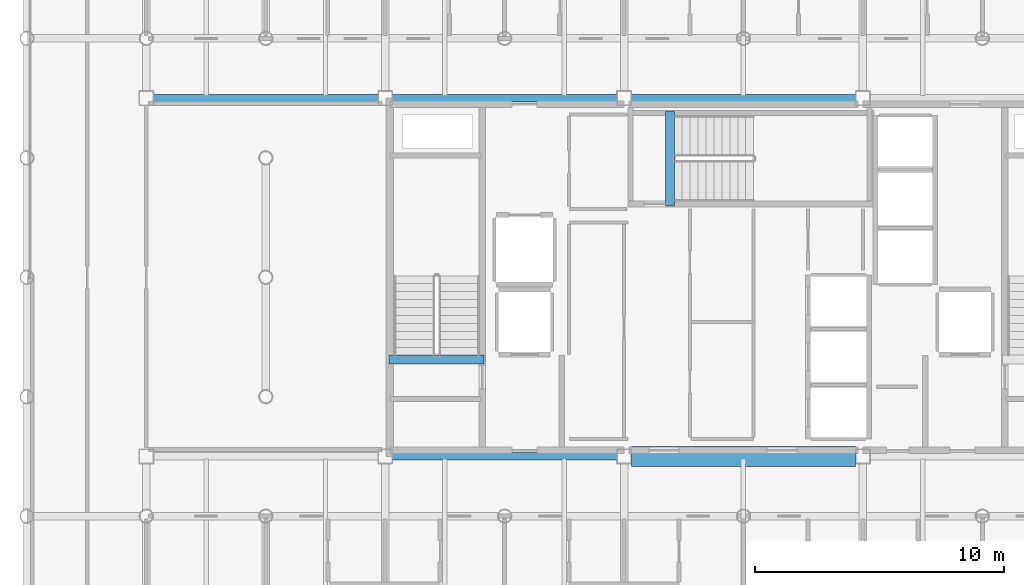
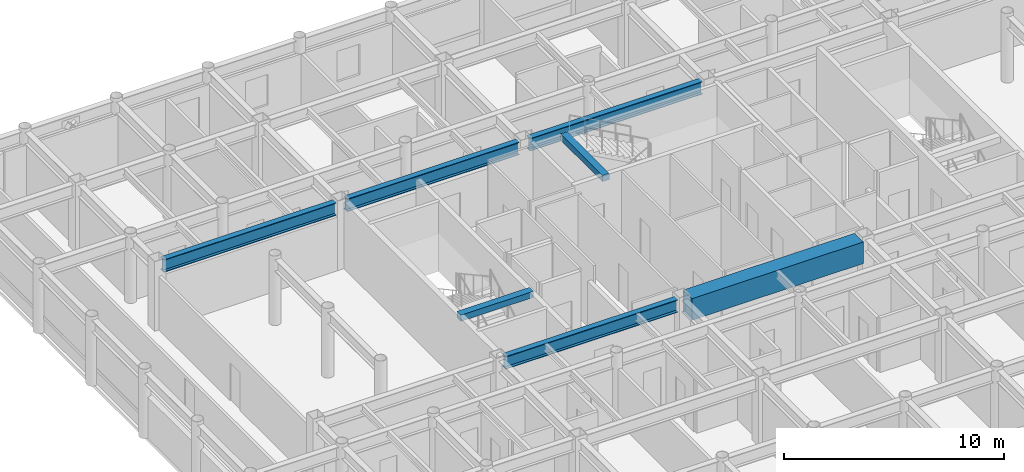
# One storey, part 7 of 22: 7 beams.
"""IFC4 building model written with IfcOpenShell, lengths in metres."""

from ifc_helpers import new_model, si_unit, direction, frame, origin, origin_2d, place, context, subcontext, project, spatial, rectangle, i_section, extrude, material, material_profile, profile_set, type_object, element, save


model = new_model("IFC4")

# Units and contexts
model_context = context("Model", 3, precision=1e-05, world=origin(), true_north=direction((0.0, 1.0)))
body_context = subcontext(model_context, "Body", "Model", "MODEL_VIEW")
ifc_project = project(units=[si_unit("LENGTHUNIT", "METRE"), si_unit("AREAUNIT", "SQUARE_METRE"), si_unit("VOLUMEUNIT", "CUBIC_METRE"), si_unit("PLANEANGLEUNIT", "RADIAN"), si_unit("MASSUNIT", "GRAM", prefix="KILO")], contexts=[model_context])

# Site, building, storey
site_placement = place(None, origin())
site = spatial("IfcSite", under=ifc_project, at=site_placement, CompositionType="ELEMENT")
building_placement = place(site_placement, origin())
building = spatial("IfcBuilding", under=site, at=building_placement, Name="Kallvorn Hotel Tower", CompositionType="ELEMENT")
storey_placement = place(building_placement, frame((0.0, 0.0, 199.199951171875)))
storey = spatial("IfcBuildingStorey", under=building, at=storey_placement, Name="L49", CompositionType="ELEMENT", Elevation=199.199951171875)

# Beams
ifc_material_1 = material(Name="Structural steel S355JR", Category="steel")
ifc_material_profile_1 = material_profile(ifc_material_1, i_section(OverallWidth=0.300048828125, OverallDepth=0.699951171875, WebThickness=0.01708984375, FlangeThickness=0.031982421875, at=origin_2d()), Name="HE 700 B")
ifc_profile_set_1 = profile_set([ifc_material_profile_1], Name="Structural steel S355JR")
beam_type_1 = type_object("IfcBeamType", Name="BM_HE700B", PredefinedType="BEAM", material=ifc_profile_set_1)
for number, where, z_axis, x_axis, name in (
    (1, (-14.125, -7.199951171875, 3.320068359375), (1.0, 0.0, 0.0), (0.0, 1.0, 0.0), "L50 Primary X-Girder 34"),
    (2, (-23.72509765625, 7.199951171875, 3.320068359375), (1.0, 0.0, 0.0), (0.0, 1.0, 0.0), "L50 Primary X-Girder 37"),
    (3, (-14.125, 7.199951171875, 3.320068359375), (1.0, 0.0, 0.0), (0.0, 1.0, 0.0), "L50 Primary X-Girder 38"),
):
    element("IfcBeam", number, at=place(storey_placement, frame(where, z_axis=z_axis, x_axis=x_axis)), inside=storey, type_object=beam_type_1, Name=name, PredefinedType="BEAM", context=body_context, shape_type="SweptSolid", body=[
        extrude(i_section(OverallWidth=0.300048828125, OverallDepth=0.699951171875, WebThickness=0.01708984375, FlangeThickness=0.031982421875, at=origin_2d()), origin(), (0.0, 0.0, 1.0), 9.050048828125),
    ])
beam_1_placement = place(storey_placement, frame((-4.52490234375, 7.199951171875, 3.320068359375), z_axis=(1.0, 0.0, 0.0), x_axis=(0.0, 1.0, 0.0)))
element("IfcBeam", 4, at=beam_1_placement, inside=storey, type_object=beam_type_1, Name="L50 Primary X-Girder 39", PredefinedType="BEAM", context=body_context, shape_type="SweptSolid", body=[
    extrude(i_section(OverallWidth=0.300048828125, OverallDepth=0.699951171875, WebThickness=0.01708984375, FlangeThickness=0.031982421875, at=origin_2d()), origin(), (0.0, 0.0, 1.0), 9.0498046875),
])
ifc_material_2 = material(Name="Concrete C50/60", Category="concrete")
ifc_material_profile_2 = material_profile(ifc_material_2, rectangle(XDim=0.360107421875, YDim=0.340087890625, at=origin_2d()), Name="RC 360x340")
ifc_profile_set_2 = profile_set([ifc_material_profile_2], Name="Concrete C50/60")
beam_type_2 = type_object("IfcBeamType", Name="BM_RC_400x360", PredefinedType="BEAM", material=ifc_profile_set_2)
beam_2_placement = place(storey_placement, frame((-10.419921875, -3.31005859375, 3.5), z_axis=(-1.0, 0.0, 0.0), x_axis=(0.0, -1.0, 0.0)))
element("IfcBeam", 5, at=beam_2_placement, inside=storey, type_object=beam_type_2, Name="L50 Stair ST1 Arrival Trimmer Beam", PredefinedType="BEAM", context=body_context, shape_type="SweptSolid", body=[
    extrude(rectangle(XDim=0.360107421875, YDim=0.340087890625, at=origin_2d()), origin(), (0.0, 0.0, 1.0), 3.820068359375),
])
beam_3_placement = place(storey_placement, frame((-2.9599609375, 2.8701171875, 3.5), z_axis=(0.0, 1.0, 0.0), x_axis=(-1.0, 0.0, 0.0)))
element("IfcBeam", 6, at=beam_3_placement, inside=storey, type_object=beam_type_2, Name="L50 Stair ST3 Arrival Trimmer Beam", PredefinedType="BEAM", context=body_context, shape_type="SweptSolid", body=[
    extrude(rectangle(XDim=0.360107421875, YDim=0.340087890625, at=origin_2d()), origin(), (0.0, 0.0, 1.0), 3.81982421875),
])
ifc_material_3 = material(Name="Concrete C50/60", Category="concrete")
ifc_material_profile_3 = material_profile(ifc_material_3, rectangle(XDim=0.800048828125, YDim=1.199951171875, at=origin_2d()), Name="RC 800x1200")
ifc_profile_set_3 = profile_set([ifc_material_profile_3], Name="Concrete C50/60")
beam_type_3 = type_object("IfcBeamType", Name="BM_RC_800x1200", PredefinedType="T_BEAM", material=ifc_profile_set_3)
beam_4_placement = place(storey_placement, frame((-4.5, -7.199951171875, 3.070068359375), z_axis=(1.0, 0.0, 0.0), x_axis=(0.0, 1.0, 0.0)))
element("IfcBeam", 7, at=beam_4_placement, inside=storey, type_object=beam_type_3, Name="L49 Core Coupling Beam South", PredefinedType="T_BEAM", context=body_context, shape_type="SweptSolid", body=[
    extrude(rectangle(XDim=0.800048828125, YDim=1.199951171875, at=origin_2d()), origin(), (0.0, 0.0, 1.0), 9.0),
])

save(model, "model.ifc")
